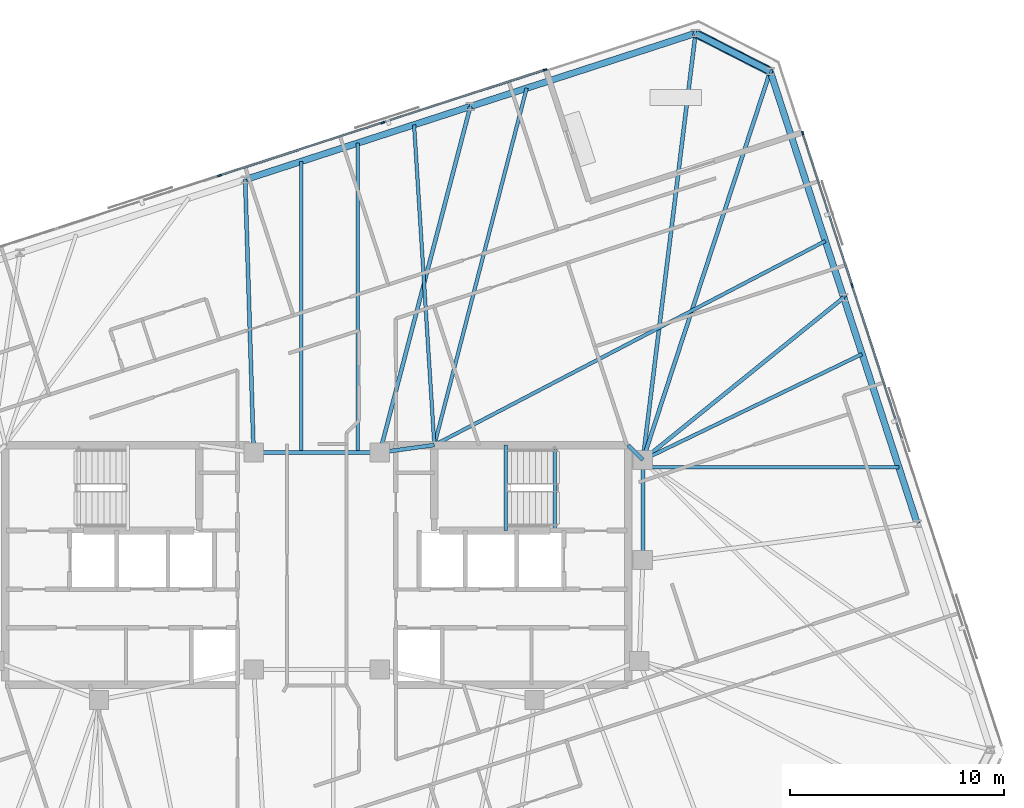
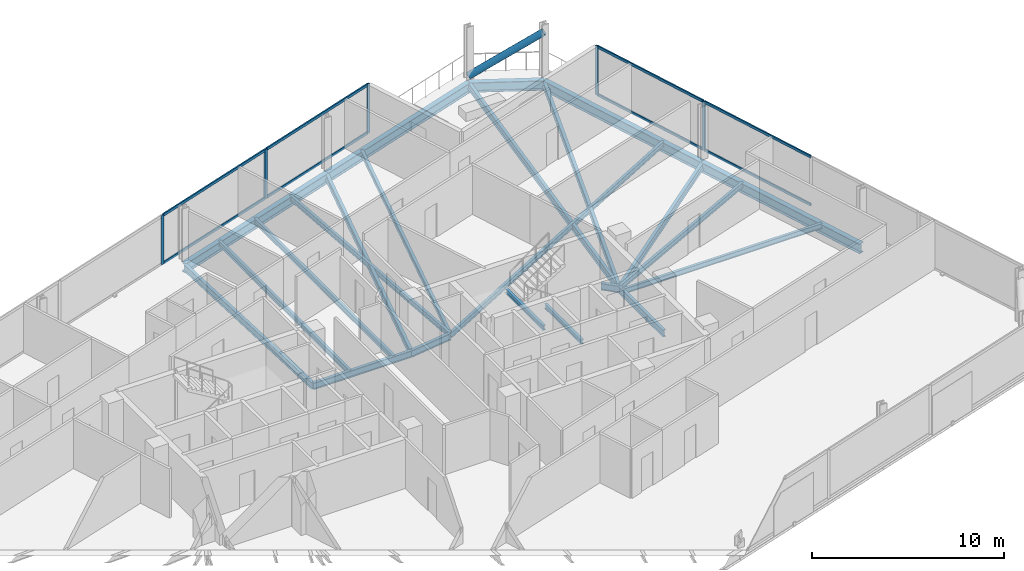
# One storey, part 10 of 19: 23 beams, 14 members, 2 elements without a shape of their own.
"""IFC4 building model written with IfcOpenShell, lengths in metres."""

from ifc_helpers import new_model, si_unit, direction, frame, origin, origin_2d, place, context, subcontext, project, spatial, rectangle, hollow_circle, i_section, extrude, material, material_profile, profile_set, type_object, element, aggregate, save


model = new_model("IFC4")

# Units and contexts
model_context = context("Model", 3, precision=1e-05, world=origin(), true_north=direction((0.0, 1.0)))
body_context = subcontext(model_context, "Body", "Model", "MODEL_VIEW")
ifc_project = project(units=[si_unit("LENGTHUNIT", "METRE"), si_unit("AREAUNIT", "SQUARE_METRE"), si_unit("VOLUMEUNIT", "CUBIC_METRE"), si_unit("PLANEANGLEUNIT", "RADIAN"), si_unit("MASSUNIT", "GRAM", prefix="KILO")], contexts=[model_context])

# Site, building, storey
site_placement = place(None, origin())
site = spatial("IfcSite", under=ifc_project, at=site_placement, CompositionType="ELEMENT")
building_placement = place(site_placement, origin())
building = spatial("IfcBuilding", under=site, at=building_placement, Name="Menara Jurai Vektor", CompositionType="ELEMENT")
storey_placement = place(building_placement, frame((0.0, 0.0, 231.0)))
storey = spatial("IfcBuildingStorey", under=building, at=storey_placement, Name="L61", CompositionType="ELEMENT", Elevation=231.0)

# Curtain wall, members
ifc_material_1 = material(Name="Anodised Pale Aluminium & Low-E Double Glazing", Category="aluminium")
curtain_wall_type = type_object("IfcCurtainWallType", Name="CW-BLK4", PredefinedType="NOTDEFINED", material=ifc_material_1)
curtain_wall_1_placement = place(storey_placement, origin())
curtain_wall_1 = element("IfcCurtainWall", 1, at=curtain_wall_1_placement, inside=storey, type_object=curtain_wall_type, Name="Unitised Curtain Wall L61 F03", PredefinedType="NOTDEFINED")
ifc_material_2 = material(Name="Anodised Pale Aluminium Mullion", Category="aluminium")
ifc_material_profile_1 = material_profile(ifc_material_2, rectangle(XDim=0.080078125, YDim=0.18994140625, at=origin_2d()), Name="ALU MUL 80x190")
ifc_profile_set_1 = profile_set([ifc_material_profile_1], Name="Anodised Pale Aluminium Mullion")
member_type_1 = type_object("IfcMemberType", Name="CW-BLK4-MUL", PredefinedType="MULLION", material=ifc_profile_set_1)
member_1_placement = place(storey_placement, frame((10.67822265625, 23.1435546875, 0.0), z_axis=(0.0, 0.0, 1.0), x_axis=(0.309017277937, -0.95105642416, 0.0)))
member_1 = element("IfcMember", 2, at=member_1_placement, type_object=member_type_1, Name="CW-04 mullion 1", PredefinedType="MULLION", context=body_context, shape_type="SweptSolid", body=[
    extrude(rectangle(XDim=0.080078125, YDim=0.18994140625, at=origin_2d()), origin(), (0.0, 0.0, 1.0), 3.125),
])
member_2_placement = place(storey_placement, frame((3.0888671875, 20.677734375, 0.0), z_axis=(0.0, 0.0, 1.0), x_axis=(0.309017277937, -0.95105642416, 0.0)))
member_2 = element("IfcMember", 3, at=member_2_placement, type_object=member_type_1, Name="CW-04 mullion 2", PredefinedType="MULLION", context=body_context, shape_type="SweptSolid", body=[
    extrude(rectangle(XDim=0.080078125, YDim=0.18994140625, at=origin_2d()), origin(), (0.0, 0.0, 1.0), 3.125),
])
member_3_placement = place(storey_placement, frame((-4.53857421875, 18.199462890625, 0.0), z_axis=(0.0, 0.0, 1.0), x_axis=(0.309017277937, -0.95105642416, 0.0)))
member_3 = element("IfcMember", 4, at=member_3_placement, type_object=member_type_1, Name="CW-04 mullion 3", PredefinedType="MULLION", context=body_context, shape_type="SweptSolid", body=[
    extrude(rectangle(XDim=0.080078125, YDim=0.18994140625, at=origin_2d()), origin(), (0.0, 0.0, 1.0), 3.125),
])

curtain_wall_2_placement = place(storey_placement, origin())
curtain_wall_2 = element("IfcCurtainWall", 5, at=curtain_wall_2_placement, inside=storey, type_object=curtain_wall_type, Name="Unitised Curtain Wall L61 F09", PredefinedType="NOTDEFINED")
member_4_placement = place(storey_placement, frame((25.037841796875, 13.057373046875, 0.0), z_axis=(0.0, 0.0, 1.0), x_axis=(-0.951056366365, -0.309017455812, 0.0)))
member_4 = element("IfcMember", 6, at=member_4_placement, type_object=member_type_1, Name="CW-04 mullion 4", PredefinedType="MULLION", context=body_context, shape_type="SweptSolid", body=[
    extrude(rectangle(XDim=0.080078125, YDim=0.18994140625, at=origin_2d()), origin(), (0.0, 0.0, 1.0), 3.125),
])
member_5_placement = place(storey_placement, frame((22.723388671875, 20.1806640625, 0.0), z_axis=(0.0, 0.0, 1.0), x_axis=(-0.951056366365, -0.309017455812, 0.0)))
member_5 = element("IfcMember", 7, at=member_5_placement, type_object=member_type_1, Name="CW-04 mullion 5", PredefinedType="MULLION", context=body_context, shape_type="SweptSolid", body=[
    extrude(rectangle(XDim=0.080078125, YDim=0.18994140625, at=origin_2d()), origin(), (0.0, 0.0, 1.0), 3.125),
])

# Member
ifc_material_3 = material(Name="Anodised Pale Aluminium Transom", Category="aluminium")
ifc_material_profile_2 = material_profile(ifc_material_3, rectangle(XDim=0.080078125, YDim=0.1650390625, at=origin_2d()), Name="ALU TRN 80x165")
ifc_profile_set_2 = profile_set([ifc_material_profile_2], Name="Anodised Pale Aluminium Transom")
member_type_2 = type_object("IfcMemberType", Name="CW-BLK4-TRN", PredefinedType="USERDEFINED", material=ifc_profile_set_2)
member_6_placement = place(storey_placement, frame((10.64013671875, 23.13134765625, 0.0400390625), z_axis=(-0.951048148493, -0.309042746635, 0.0), x_axis=(0.309042746635, -0.951048148493, 0.0)))
member_6 = element("IfcMember", 8, at=member_6_placement, type_object=member_type_2, Name="CW-04 transom 1.1", ObjectType="TRANSOM", PredefinedType="USERDEFINED", context=body_context, shape_type="SweptSolid", body=[
    extrude(rectangle(XDim=0.080078125, YDim=0.1650390625, at=origin_2d()), origin(), (0.0, 0.0, 1.0), 7.89990234375),
])

member_7_placement = place(storey_placement, frame((10.64013671875, 23.13134765625, 3.0849609375), z_axis=(-0.951048148493, -0.309042746635, 0.0), x_axis=(0.309042746635, -0.951048148493, 0.0)))
member_7 = element("IfcMember", 9, at=member_7_placement, type_object=member_type_2, Name="CW-04 transom 1.2", ObjectType="TRANSOM", PredefinedType="USERDEFINED", context=body_context, shape_type="SweptSolid", body=[
    extrude(rectangle(XDim=0.080078125, YDim=0.1650390625, at=origin_2d()), origin(), (0.0, 0.0, 1.0), 7.89990234375),
])

member_8_placement = place(storey_placement, frame((3.05078125, 20.665283203125, 0.0400390625), z_axis=(-0.951054403512, -0.309023496777, 0.0), x_axis=(0.309023496777, -0.951054403512, 0.0)))
member_8 = element("IfcMember", 10, at=member_8_placement, type_object=member_type_2, Name="CW-04 transom 2.1", ObjectType="TRANSOM", PredefinedType="USERDEFINED", context=body_context, shape_type="SweptSolid", body=[
    extrude(rectangle(XDim=0.080078125, YDim=0.1650390625, at=origin_2d()), origin(), (0.0, 0.0, 1.0), 7.93994140625),
])

member_9_placement = place(storey_placement, frame((3.05078125, 20.665283203125, 3.0849609375), z_axis=(-0.951054403512, -0.309023496777, 0.0), x_axis=(0.309023496777, -0.951054403512, 0.0)))
member_9 = element("IfcMember", 11, at=member_9_placement, type_object=member_type_2, Name="CW-04 transom 2.2", ObjectType="TRANSOM", PredefinedType="USERDEFINED", context=body_context, shape_type="SweptSolid", body=[
    extrude(rectangle(XDim=0.080078125, YDim=0.1650390625, at=origin_2d()), origin(), (0.0, 0.0, 1.0), 7.93994140625),
])

aggregate(curtain_wall_1, [member_1, member_2, member_3, member_6, member_7, member_8, member_9])

member_10_placement = place(storey_placement, frame((27.3525390625, 5.933837890625, 0.0400390625), z_axis=(-0.309022346796, 0.951054777171, 0.0), x_axis=(-0.951054777171, -0.309022346796, 0.0)))
member_10 = element("IfcMember", 12, at=member_10_placement, type_object=member_type_2, Name="CW-04 transom 3.1", ObjectType="TRANSOM", PredefinedType="USERDEFINED", context=body_context, shape_type="SweptSolid", body=[
    extrude(rectangle(XDim=0.080078125, YDim=0.1650390625, at=origin_2d()), origin(), (0.0, 0.0, 1.0), 7.4501953125),
])

member_11_placement = place(storey_placement, frame((27.3525390625, 5.933837890625, 3.0849609375), z_axis=(-0.309022346796, 0.951054777171, 0.0), x_axis=(-0.951054777171, -0.309022346796, 0.0)))
member_11 = element("IfcMember", 13, at=member_11_placement, type_object=member_type_2, Name="CW-04 transom 3.2", ObjectType="TRANSOM", PredefinedType="USERDEFINED", context=body_context, shape_type="SweptSolid", body=[
    extrude(rectangle(XDim=0.080078125, YDim=0.1650390625, at=origin_2d()), origin(), (0.0, 0.0, 1.0), 7.4501953125),
])

member_12_placement = place(storey_placement, frame((25.025634765625, 13.095458984375, 0.0400390625), z_axis=(-0.309013062068, 0.95105779397, 0.0), x_axis=(-0.95105779397, -0.309013062068, 0.0)))
member_12 = element("IfcMember", 14, at=member_12_placement, type_object=member_type_2, Name="CW-04 transom 4.1", ObjectType="TRANSOM", PredefinedType="USERDEFINED", context=body_context, shape_type="SweptSolid", body=[
    extrude(rectangle(XDim=0.080078125, YDim=0.1650390625, at=origin_2d()), origin(), (0.0, 0.0, 1.0), 7.409912109375),
])

member_13_placement = place(storey_placement, frame((25.025634765625, 13.095458984375, 3.0849609375), z_axis=(-0.309013062068, 0.95105779397, 0.0), x_axis=(-0.95105779397, -0.309013062068, 0.0)))
member_13 = element("IfcMember", 15, at=member_13_placement, type_object=member_type_2, Name="CW-04 transom 4.2", ObjectType="TRANSOM", PredefinedType="USERDEFINED", context=body_context, shape_type="SweptSolid", body=[
    extrude(rectangle(XDim=0.080078125, YDim=0.1650390625, at=origin_2d()), origin(), (0.0, 0.0, 1.0), 7.409912109375),
])

aggregate(curtain_wall_2, [member_4, member_5, member_10, member_11, member_12, member_13])

# Beams
ifc_material_4 = material(Name="Steel S355", Category="steel")
ifc_material_profile_3 = material_profile(ifc_material_4, i_section(OverallWidth=0.18505859375, OverallDepth=0.429931640625, WebThickness=0.010986328125, FlangeThickness=0.01806640625, at=origin_2d()), Name="PG 430x185x76")
ifc_profile_set_3 = profile_set([ifc_material_profile_3], Name="Steel S355")
beam_type_1 = type_object("IfcBeamType", Name="STR-BM-430", PredefinedType="BEAM", material=ifc_profile_set_3)
beam_1_placement = place(storey_placement, frame((2.949951171875, 5.25, -0.43994140625), z_axis=(0.990706818608, 0.136014703483, 0.0), x_axis=(-0.136014703483, 0.990706818608, 0.0)))
element("IfcBeam", 16, at=beam_1_placement, inside=storey, type_object=beam_type_1, Name="Core Ring Header Girder L61-CHE-N1", PredefinedType="BEAM", context=body_context, shape_type="SweptSolid", body=[
    extrude(i_section(OverallWidth=0.18505859375, OverallDepth=0.429931640625, WebThickness=0.010986328125, FlangeThickness=0.01806640625, at=origin_2d()), origin(), (0.0, 0.0, 1.0), 2.573974609375),
])
beam_2_placement = place(storey_placement, frame((14.56005859375, 5.60009765625, -0.43994140625), z_axis=(0.701871936926, -0.712303154672, 0.0), x_axis=(0.712303154672, 0.701871936926, 0.0)))
element("IfcBeam", 17, at=beam_2_placement, inside=storey, type_object=beam_type_1, Name="Core Ring Header Girder L61-CHE-N2", PredefinedType="BEAM", context=body_context, shape_type="SweptSolid", body=[
    extrude(i_section(OverallWidth=0.18505859375, OverallDepth=0.429931640625, WebThickness=0.010986328125, FlangeThickness=0.01806640625, at=origin_2d()), origin(), (0.0, 0.0, 1.0), 0.98291015625),
])
beam_3_placement = place(storey_placement, frame((15.25, 0.219970703125, -0.43994140625), z_axis=(0.0, 1.0, 0.0), x_axis=(-1.0, 0.0, 0.0)))
element("IfcBeam", 18, at=beam_3_placement, inside=storey, type_object=beam_type_1, Name="Core Ring Header Girder L61-CHE-E1", PredefinedType="BEAM", context=body_context, shape_type="SweptSolid", body=[
    extrude(i_section(OverallWidth=0.18505859375, OverallDepth=0.429931640625, WebThickness=0.010986328125, FlangeThickness=0.01806640625, at=origin_2d()), origin(), (0.0, 0.0, 1.0), 4.679931640625),
])
beam_4_placement = place(storey_placement, frame((-2.949951171875, 5.25, -0.43994140625), z_axis=(1.0, 0.0, 0.0), x_axis=(0.0, 1.0, 0.0)))
element("IfcBeam", 19, at=beam_4_placement, inside=storey, type_object=beam_type_1, Name="Core Ring Header Girder L61-CC-2", PredefinedType="BEAM", context=body_context, shape_type="SweptSolid", body=[
    extrude(i_section(OverallWidth=0.18505859375, OverallDepth=0.429931640625, WebThickness=0.010986328125, FlangeThickness=0.01806640625, at=origin_2d()), origin(), (0.0, 0.0, 1.0), 5.89990234375),
])
beam_5_placement = place(storey_placement, frame((24.641845703125, 12.496826171875, -0.43994140625), z_axis=(-0.777487674144, -0.628898176619, 0.0), x_axis=(0.628898176619, -0.777487674144, 0.0)))
element("IfcBeam", 20, at=beam_5_placement, inside=storey, type_object=beam_type_1, Name="Radial Floor Girder L61-E3", PredefinedType="BEAM", context=body_context, shape_type="SweptSolid", body=[
    extrude(i_section(OverallWidth=0.18505859375, OverallDepth=0.429931640625, WebThickness=0.010986328125, FlangeThickness=0.01806640625, at=origin_2d()), origin(), (0.0, 0.0, 1.0), 12.079833984375),
])
beam_6_placement = place(storey_placement, frame((21.205810546875, 23.071044921875, -0.43994140625), z_axis=(-0.311459010005, -0.950259588263, 0.0), x_axis=(0.950259588263, -0.311459010005, 0.0)))
element("IfcBeam", 21, at=beam_6_placement, inside=storey, type_object=beam_type_1, Name="Radial Floor Girder L61-E4", PredefinedType="BEAM", context=body_context, shape_type="SweptSolid", body=[
    extrude(i_section(OverallWidth=0.18505859375, OverallDepth=0.429931640625, WebThickness=0.010986328125, FlangeThickness=0.01806640625, at=origin_2d()), origin(), (0.0, 0.0, 1.0), 19.122314453125),
])
beam_7_placement = place(storey_placement, frame((17.712890625, 24.85107421875, -0.43994140625), z_axis=(-0.122515938756, -0.99246654591, 0.0), x_axis=(0.99246654591, -0.122515938756, 0.0)))
element("IfcBeam", 22, at=beam_7_placement, inside=storey, type_object=beam_type_1, Name="Radial Floor Girder L61-N1", PredefinedType="BEAM", context=body_context, shape_type="SweptSolid", body=[
    extrude(i_section(OverallWidth=0.18505859375, OverallDepth=0.429931640625, WebThickness=0.010986328125, FlangeThickness=0.01806640625, at=origin_2d()), origin(), (0.0, 0.0, 1.0), 20.1025390625),
])
beam_8_placement = place(storey_placement, frame((7.18359375, 21.4296875, -0.43994140625), z_axis=(-0.253141463003, -0.96742927375, 0.0), x_axis=(0.96742927375, -0.253141463003, 0.0)))
element("IfcBeam", 23, at=beam_8_placement, inside=storey, type_object=beam_type_1, Name="Radial Floor Girder L61-N2", PredefinedType="BEAM", context=body_context, shape_type="SweptSolid", body=[
    extrude(i_section(OverallWidth=0.18505859375, OverallDepth=0.429931640625, WebThickness=0.010986328125, FlangeThickness=0.01806640625, at=origin_2d()), origin(), (0.0, 0.0, 1.0), 16.724365234375),
])
beam_9_placement = place(storey_placement, frame((-3.345703125, 18.008544921875, -0.43994140625), z_axis=(0.031003668991, -0.999519270704, 0.0), x_axis=(0.999519270704, 0.031003668991, 0.0)))
element("IfcBeam", 24, at=beam_9_placement, inside=storey, type_object=beam_type_1, Name="Radial Floor Girder L61-N3", PredefinedType="BEAM", context=body_context, shape_type="SweptSolid", body=[
    extrude(i_section(OverallWidth=0.18505859375, OverallDepth=0.429931640625, WebThickness=0.010986328125, FlangeThickness=0.01806640625, at=origin_2d()), origin(), (0.0, 0.0, 1.0), 12.7646484375),
])

# Member
ifc_material_5 = material(Name="Steel S460", Category="steel")
ifc_material_profile_4 = material_profile(ifc_material_5, hollow_circle(Radius=0.203125, WallThickness=0.01611328125, at=origin_2d()), Name="CHS 406.4x16")
ifc_profile_set_4 = profile_set([ifc_material_profile_4], Name="Steel S460")
member_type_3 = type_object("IfcMemberType", Name="STR-BR-406", PredefinedType="BRACE", material=ifc_profile_set_4)
member_14_placement = place(storey_placement, frame((17.712890625, 24.85107421875, 0.14990234375), z_axis=(0.740360915323, -0.377269459996, 0.556357321886), x_axis=(0.454025593397, 0.890988642206, 0.0)))
element("IfcMember", 25, at=member_14_placement, inside=storey, type_object=member_type_3, Name="Exoskeleton Corner Brace L61-2", PredefinedType="BRACE", context=body_context, shape_type="SweptSolid", body=[
    extrude(hollow_circle(Radius=0.203125, WallThickness=0.01611328125, at=origin_2d()), origin(), (0.0, 0.0, 1.0), 4.71826171875),
])

# Beams
ifc_material_profile_5 = material_profile(ifc_material_4, i_section(OverallWidth=0.1650390625, OverallDepth=0.330078125, WebThickness=0.009033203125, FlangeThickness=0.013916015625, at=origin_2d()), Name="PG 330x165x46")
ifc_profile_set_5 = profile_set([ifc_material_profile_5], Name="Steel S355")
beam_type_2 = type_object("IfcBeamType", Name="STR-JS-330", PredefinedType="JOIST", material=ifc_profile_set_5)
beam_10_placement = place(storey_placement, frame((27.218505859375, 4.56591796875, -0.389892578125), z_axis=(-1.0, 0.0, 0.0), x_axis=(0.0, -1.0, 0.0)))
element("IfcBeam", 26, at=beam_10_placement, inside=storey, type_object=beam_type_2, Name="Radial Secondary Floor Joist L61-JS11", PredefinedType="JOIST", context=body_context, shape_type="SweptSolid", body=[
    extrude(i_section(OverallWidth=0.1650390625, OverallDepth=0.330078125, WebThickness=0.009033203125, FlangeThickness=0.013916015625, at=origin_2d()), origin(), (0.0, 0.0, 1.0), 11.968505859375),
])
beam_11_placement = place(storey_placement, frame((25.500732421875, 9.853271484375, -0.389892578125), z_axis=(-0.900388578627, -0.435086666629, 0.0), x_axis=(0.435086666629, -0.900388578627, 0.0)))
element("IfcBeam", 27, at=beam_11_placement, inside=storey, type_object=beam_type_2, Name="Radial Secondary Floor Joist L61-JS12", PredefinedType="JOIST", context=body_context, shape_type="SweptSolid", body=[
    extrude(i_section(OverallWidth=0.1650390625, OverallDepth=0.330078125, WebThickness=0.009033203125, FlangeThickness=0.013916015625, at=origin_2d()), origin(), (0.0, 0.0, 1.0), 11.384765625),
])
beam_12_placement = place(storey_placement, frame((23.78271484375, 15.140380859375, -0.389892578125), z_axis=(-0.886555502614, -0.462622244153, 0.0), x_axis=(0.462622244153, -0.886555502614, 0.0)))
element("IfcBeam", 28, at=beam_12_placement, inside=storey, type_object=beam_type_2, Name="Radial Secondary Floor Joist L61-JS13", PredefinedType="JOIST", context=body_context, shape_type="SweptSolid", body=[
    extrude(i_section(OverallWidth=0.1650390625, OverallDepth=0.330078125, WebThickness=0.009033203125, FlangeThickness=0.013916015625, at=origin_2d()), origin(), (0.0, 0.0, 1.0), 20.6220703125),
])
beam_13_placement = place(storey_placement, frame((9.81591796875, 22.28515625, -0.389892578125), z_axis=(-0.250427234151, -0.968135424616, 0.0), x_axis=(0.968135424616, -0.250427234151, 0.0)))
element("IfcBeam", 29, at=beam_13_placement, inside=storey, type_object=beam_type_2, Name="Radial Secondary Floor Joist L61-JS14", PredefinedType="JOIST", context=body_context, shape_type="SweptSolid", body=[
    extrude(i_section(OverallWidth=0.1650390625, OverallDepth=0.330078125, WebThickness=0.009033203125, FlangeThickness=0.013916015625, at=origin_2d()), origin(), (0.0, 0.0, 1.0), 17.234130859375),
])
beam_14_placement = place(storey_placement, frame((4.55126953125, 20.574462890625, -0.389892578125), z_axis=(0.063230194737, -0.997998969175, 0.0), x_axis=(0.997998969175, 0.063230194737, 0.0)))
element("IfcBeam", 30, at=beam_14_placement, inside=storey, type_object=beam_type_2, Name="Radial Secondary Floor Joist L61-JS15", PredefinedType="JOIST", context=body_context, shape_type="SweptSolid", body=[
    extrude(i_section(OverallWidth=0.1650390625, OverallDepth=0.330078125, WebThickness=0.009033203125, FlangeThickness=0.013916015625, at=origin_2d()), origin(), (0.0, 0.0, 1.0), 15.00439453125),
])
beam_15_placement = place(storey_placement, frame((1.9189453125, 19.71923828125, -0.389892578125), z_axis=(0.0, -1.0, 0.0), x_axis=(1.0, 0.0, 0.0)))
element("IfcBeam", 31, at=beam_15_placement, inside=storey, type_object=beam_type_2, Name="Radial Secondary Floor Joist L61-JS16", PredefinedType="JOIST", context=body_context, shape_type="SweptSolid", body=[
    extrude(i_section(OverallWidth=0.1650390625, OverallDepth=0.330078125, WebThickness=0.009033203125, FlangeThickness=0.013916015625, at=origin_2d()), origin(), (0.0, 0.0, 1.0), 14.46923828125),
])
beam_16_placement = place(storey_placement, frame((-0.71337890625, 18.864013671875, -0.389892578125), z_axis=(0.0, -1.0, 0.0), x_axis=(1.0, 0.0, 0.0)))
element("IfcBeam", 32, at=beam_16_placement, inside=storey, type_object=beam_type_2, Name="Radial Secondary Floor Joist L61-JS17", PredefinedType="JOIST", context=body_context, shape_type="SweptSolid", body=[
    extrude(i_section(OverallWidth=0.1650390625, OverallDepth=0.330078125, WebThickness=0.009033203125, FlangeThickness=0.013916015625, at=origin_2d()), origin(), (0.0, 0.0, 1.0), 13.614013671875),
])
ifc_material_profile_6 = material_profile(ifc_material_4, i_section(OverallWidth=0.1650390625, OverallDepth=0.302978515625, WebThickness=0.006103515625, FlangeThickness=0.010009765625, FilletRadius=0.009033203125, at=origin_2d()), Name="UKB 305x165x40")
ifc_profile_set_6 = profile_set([ifc_material_profile_6], Name="Steel S355")
beam_type_3 = type_object("IfcBeamType", Name="STR-LN-305", PredefinedType="LINTEL", material=ifc_profile_set_6)
beam_17_placement = place(storey_placement, frame((11.1201171875, 1.60009765625, -0.37646484375), z_axis=(0.0, 1.0, 0.0), x_axis=(-1.0, 0.0, 0.0)))
element("IfcBeam", 33, at=beam_17_placement, inside=storey, type_object=beam_type_3, Name="Stair Well Floor Trimmer ST2 L61", PredefinedType="LINTEL", context=body_context, shape_type="SweptSolid", body=[
    extrude(i_section(OverallWidth=0.1650390625, OverallDepth=0.302978515625, WebThickness=0.006103515625, FlangeThickness=0.010009765625, FilletRadius=0.009033203125, at=origin_2d()), origin(), (0.0, 0.0, 1.0), 3.81982421875),
])
beam_18_placement = place(storey_placement, frame((8.830078125, 1.60009765625, 1.323486328125), z_axis=(0.0, 1.0, 0.0), x_axis=(-1.0, 0.0, 0.0)))
element("IfcBeam", 34, at=beam_18_placement, inside=storey, type_object=beam_type_3, Name="Stair Half-Landing Nosing Trimmer ST2-1 L61", PredefinedType="LINTEL", context=body_context, shape_type="SweptSolid", body=[
    extrude(i_section(OverallWidth=0.1650390625, OverallDepth=0.302978515625, WebThickness=0.006103515625, FlangeThickness=0.010009765625, FilletRadius=0.009033203125, at=origin_2d()), origin(), (0.0, 0.0, 1.0), 4.0),
])
ifc_material_profile_7 = material_profile(ifc_material_4, i_section(OverallWidth=0.306884765625, OverallDepth=0.6201171875, WebThickness=0.013916015625, FlangeThickness=0.02392578125, FilletRadius=0.01708984375, at=origin_2d()), Name="UKB 610x305x179")
ifc_profile_set_7 = profile_set([ifc_material_profile_7], Name="Steel S355")
beam_type_4 = type_object("IfcBeamType", Name="STR-SP-610", PredefinedType="SPANDREL", material=ifc_profile_set_7)
beam_19_placement = place(storey_placement, frame((28.07763671875, 1.92236328125, -0.534912109375), z_axis=(-0.309012092614, 0.95105810896, 0.0), x_axis=(-0.95105810896, -0.309012092614, 0.0)))
element("IfcBeam", 35, at=beam_19_placement, inside=storey, type_object=beam_type_4, Name="Exoskeleton Spandrel Beam L61-08", PredefinedType="SPANDREL", context=body_context, shape_type="SweptSolid", body=[
    extrude(i_section(OverallWidth=0.306884765625, OverallDepth=0.6201171875, WebThickness=0.013916015625, FlangeThickness=0.02392578125, FilletRadius=0.01708984375, at=origin_2d()), origin(), (0.0, 0.0, 1.0), 11.11865234375),
])
beam_20_placement = place(storey_placement, frame((24.641845703125, 12.496826171875, -0.534912109375), z_axis=(-0.309038407092, 0.951049558615, 0.0), x_axis=(-0.951049558615, -0.309038407092, 0.0)))
element("IfcBeam", 36, at=beam_20_placement, inside=storey, type_object=beam_type_4, Name="Exoskeleton Spandrel Beam L61-09", PredefinedType="SPANDREL", context=body_context, shape_type="SweptSolid", body=[
    extrude(i_section(OverallWidth=0.306884765625, OverallDepth=0.6201171875, WebThickness=0.013916015625, FlangeThickness=0.02392578125, FilletRadius=0.01708984375, at=origin_2d()), origin(), (0.0, 0.0, 1.0), 11.118408203125),
])
beam_21_placement = place(storey_placement, frame((21.205810546875, 23.071044921875, -0.534912109375), z_axis=(-0.890975804423, 0.454050785633, 0.0), x_axis=(-0.454050785633, -0.890975804423, 0.0)))
element("IfcBeam", 37, at=beam_21_placement, inside=storey, type_object=beam_type_4, Name="Exoskeleton Spandrel Beam L61-10", PredefinedType="SPANDREL", context=body_context, shape_type="SweptSolid", body=[
    extrude(i_section(OverallWidth=0.306884765625, OverallDepth=0.6201171875, WebThickness=0.013916015625, FlangeThickness=0.02392578125, FilletRadius=0.01708984375, at=origin_2d()), origin(), (0.0, 0.0, 1.0), 3.92041015625),
])
beam_22_placement = place(storey_placement, frame((17.712890625, 24.85107421875, -0.534912109375), z_axis=(-0.951050920942, -0.309034214572, 0.0), x_axis=(0.309034214572, -0.951050920942, 0.0)))
element("IfcBeam", 38, at=beam_22_placement, inside=storey, type_object=beam_type_4, Name="Exoskeleton Spandrel Beam L61-11", PredefinedType="SPANDREL", context=body_context, shape_type="SweptSolid", body=[
    extrude(i_section(OverallWidth=0.306884765625, OverallDepth=0.6201171875, WebThickness=0.013916015625, FlangeThickness=0.02392578125, FilletRadius=0.01708984375, at=origin_2d()), origin(), (0.0, 0.0, 1.0), 11.0712890625),
])
beam_23_placement = place(storey_placement, frame((7.18359375, 21.4296875, -0.534912109375), z_axis=(-0.951057401967, -0.309014268544, 0.0), x_axis=(0.309014268544, -0.951057401967, 0.0)))
element("IfcBeam", 39, at=beam_23_placement, inside=storey, type_object=beam_type_4, Name="Exoskeleton Spandrel Beam L61-12", PredefinedType="SPANDREL", context=body_context, shape_type="SweptSolid", body=[
    extrude(i_section(OverallWidth=0.306884765625, OverallDepth=0.6201171875, WebThickness=0.013916015625, FlangeThickness=0.02392578125, FilletRadius=0.01708984375, at=origin_2d()), origin(), (0.0, 0.0, 1.0), 11.071044921875),
])

save(model, "model.ifc")
